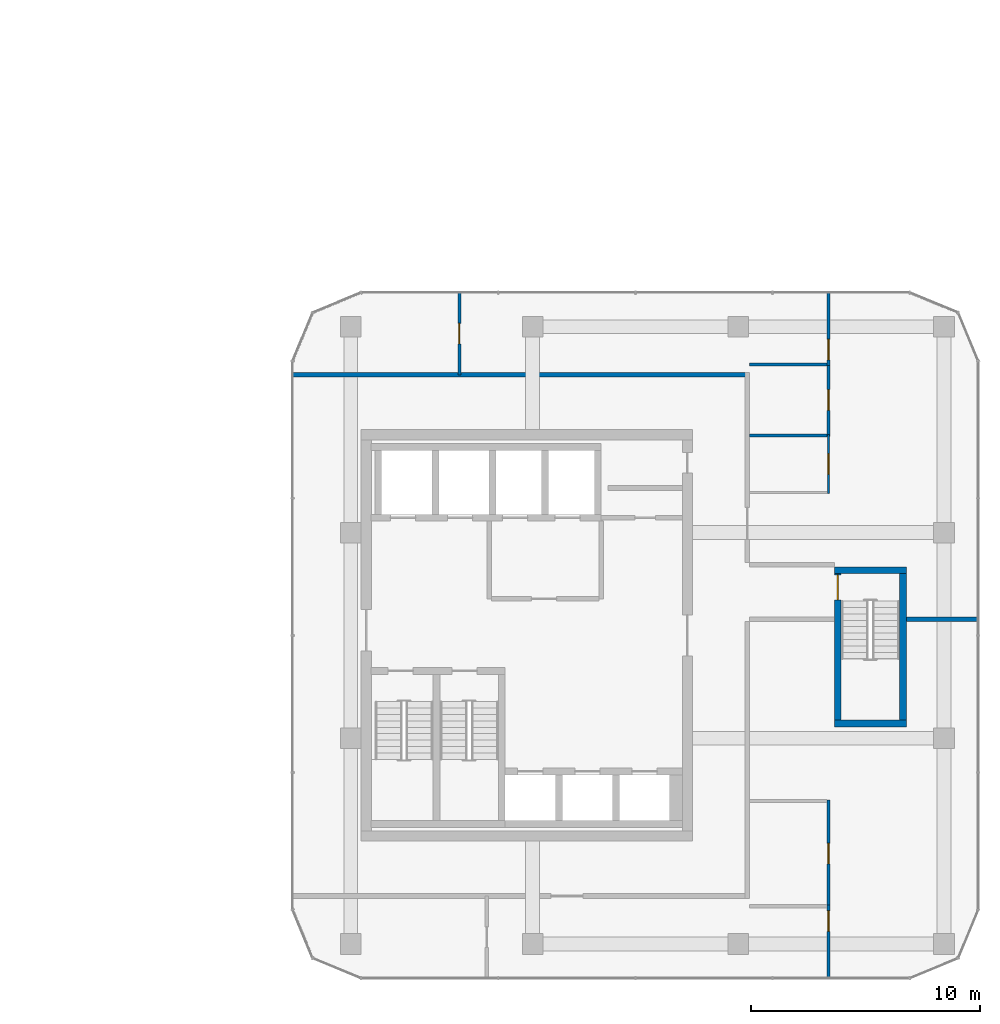
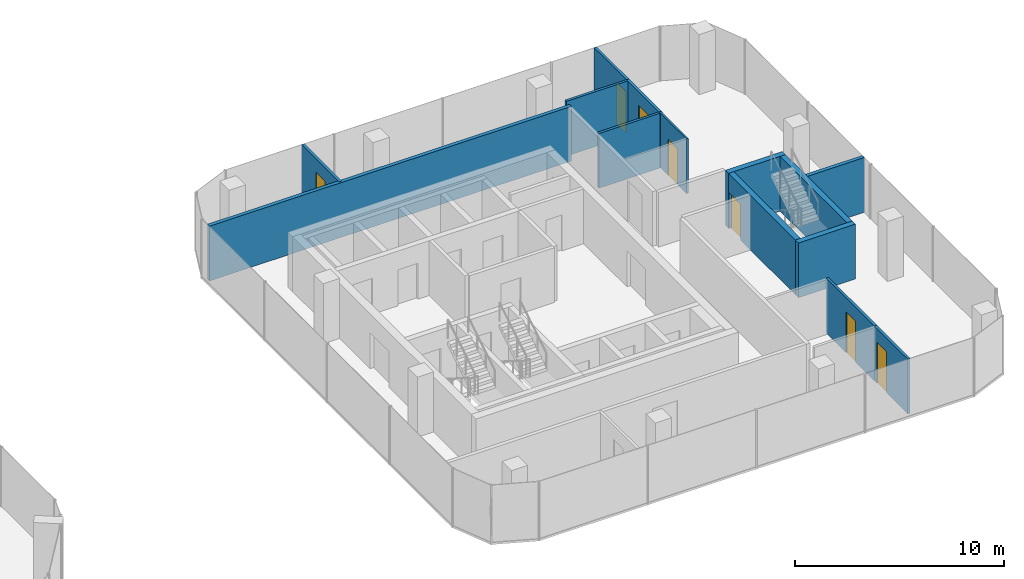
# One storey, part 18 of 22: 14 walls, 7 doors, 7 openings.
"""IFC4 building model written with IfcOpenShell, lengths in metres."""

from ifc_helpers import new_model, si_unit, direction, frame, frame_2d, origin, place, context, subcontext, project, spatial, rectangle, extrude, material, layer, layer_set, type_object, element, fill, save


model = new_model("IFC4")

# Units and contexts
model_context = context("Model", 3, precision=1e-05, world=origin(), true_north=direction((0.0, 1.0)))
body_context = subcontext(model_context, "Body", "Model", "MODEL_VIEW")
ifc_project = project(units=[si_unit("LENGTHUNIT", "METRE"), si_unit("AREAUNIT", "SQUARE_METRE"), si_unit("VOLUMEUNIT", "CUBIC_METRE"), si_unit("PLANEANGLEUNIT", "RADIAN"), si_unit("MASSUNIT", "GRAM", prefix="KILO")], contexts=[model_context])

# Site, building, storey
site_placement = place(None, origin())
site = spatial("IfcSite", under=ifc_project, at=site_placement, CompositionType="ELEMENT")
building_placement = place(site_placement, origin())
building = spatial("IfcBuilding", under=site, at=building_placement, Name="Plateau Cross Towers", CompositionType="ELEMENT")
storey_placement = place(building_placement, frame((0.0, 0.0, 68.800048828125)))
storey = spatial("IfcBuildingStorey", under=building, at=storey_placement, Name="L17", CompositionType="ELEMENT", Elevation=68.800048828125)

# Wall, opening, door
ifc_material_1 = material(Name="Concrete C60/75", Category="concrete")
ifc_layer_1 = layer(ifc_material_1, 0.300048828125)
ifc_layer_set_1 = layer_set([ifc_layer_1], Name="Concrete C60/75")
wall_type_1 = type_object("IfcWallType", Name="Core shaft wall 300", PredefinedType="SHEAR", material=ifc_layer_set_1)
wall_1_placement = place(storey_placement, frame((95.85009765625, 5.300048828125, 0.0), z_axis=(0.0, 0.0, 1.0), x_axis=(0.0, 1.0, 0.0)))
wall_1 = element("IfcWall", 1, at=wall_1_placement, inside=storey, type_object=wall_type_1, Name="B-sb3-W@L17", PredefinedType="SHEAR", context=body_context, shape_type="SweptSolid", body=[
    extrude(rectangle(XDim=6.39990234375, YDim=0.300048828125, at=frame_2d((3.199951171875, 0.0))), origin(), (0.0, 0.0, 1.0), 3.199951171875),
])
opening_1_placement = place(wall_1_placement, frame((5.25, 0.0, 0.0)))
opening_1 = element("IfcOpeningElement", 2, at=opening_1_placement, cuts=wall_1, Name="Opening SD", PredefinedType="OPENING", context=body_context, shape_type="SweptSolid", body=[
    extrude(rectangle(XDim=1.10009765625, YDim=2.10009765625, at=frame_2d((0.550048828125, 1.050048828125))), frame((0.0, 0.159912109375, 0.0), z_axis=(0.0, -1.0, 0.0), x_axis=(1.0, 0.0, 0.0)), (0.0, 0.0, 1.0), 0.320068359375),
])
ifc_material_2 = material(Name="Steel, fire-resisting leaf", Category="steel")
door_type_1 = type_object("IfcDoorType", Name="Stair door 1100", OperationType="NOTDEFINED", PredefinedType="DOOR", material=ifc_material_2)
door_1_placement = place(opening_1_placement, origin())
door_1 = element("IfcDoor", 3, at=door_1_placement, inside=storey, type_object=door_type_1, Name="Stair door SD", OperationType="SINGLE_SWING_LEFT", OverallHeight=2.10009765625, OverallWidth=1.10009765625, PredefinedType="DOOR", context=body_context, shape_type="SweptSolid", body=[
    extrude(rectangle(XDim=1.10009765625, YDim=2.10009765625, at=frame_2d((0.550048828125, 1.050048828125))), frame((0.0, 0.02490234375, 0.0), z_axis=(0.0, -1.0, 0.0), x_axis=(1.0, 0.0, 0.0)), (0.0, 0.0, 1.0), 0.050048828125),
])
fill(opening_1, door_1)

# Walls
wall_2_placement = place(storey_placement, frame((98.699951171875, 5.300048828125, 0.0), z_axis=(0.0, 0.0, 1.0), x_axis=(0.0, 1.0, 0.0)))
element("IfcWall", 4, at=wall_2_placement, inside=storey, type_object=wall_type_1, Name="B-sb3-E@L17", PredefinedType="SHEAR", context=body_context, shape_type="SweptSolid", body=[
    extrude(rectangle(XDim=6.39990234375, YDim=0.300048828125, at=frame_2d((3.199951171875, 0.0))), origin(), (0.0, 0.0, 1.0), 3.199951171875),
])
for number, where, z_axis, x_axis, name in (
    (5, (95.699951171875, 5.14990234375, 0.0), (0.0, 0.0, 1.0), (1.0, 0.0, 0.0), "B-sb3-S@L17"),
    (6, (95.699951171875, 11.85009765625, 0.0), (0.0, 0.0, 1.0), (1.0, 0.0, 0.0), "B-sb3-N@L17"),
):
    element("IfcWall", number, at=place(storey_placement, frame(where, z_axis=z_axis, x_axis=x_axis)), inside=storey, type_object=wall_type_1, Name=name, PredefinedType="SHEAR", context=body_context, shape_type="SweptSolid", body=[
        extrude(rectangle(XDim=3.150146484375, YDim=0.300048828125, at=frame_2d((1.5751953125, 0.0))), origin(), (0.0, 0.0, 1.0), 3.199951171875),
    ])
ifc_material_3 = material(Name="Gypsum board on steel studs, two layers each side", Category="steel")
ifc_layer_2 = layer(ifc_material_3, 0.199951171875)
ifc_layer_set_2 = layer_set([ifc_layer_2], Name="Gypsum board on steel studs, two layers each side")
wall_type_2 = type_object("IfcWallType", Name="Corridor wall 200", PredefinedType="PARTITIONING", material=ifc_layer_set_2)
wall_3_placement = place(storey_placement, frame((72.0, 20.39990234375, 0.0), z_axis=(0.0, 0.0, 1.0), x_axis=(1.0, 0.0, 0.0)))
element("IfcWall", 7, at=wall_3_placement, inside=storey, type_object=wall_type_2, Name="Ring wall", PredefinedType="PARTITIONING", context=body_context, shape_type="SweptSolid", body=[
    extrude(rectangle(XDim=20.0, YDim=0.199951171875, at=frame_2d((10.0, 0.0))), origin(), (0.0, 0.0, 1.0), 3.199951171875),
])

# Wall, opening, door
ifc_material_4 = material(Name="Gypsum board on staggered steel studs, mineral wool, two layers each side", Category="steel")
ifc_layer_3 = layer(ifc_material_4, 0.139892578125)
ifc_layer_set_3 = layer_set([ifc_layer_3], Name="Gypsum board on staggered steel studs, mineral wool, two layers each side")
wall_type_3 = type_object("IfcWallType", Name="Meeting room acoustic partition 140", PredefinedType="PARTITIONING", material=ifc_layer_set_3)
wall_4_placement = place(storey_placement, frame((95.449951171875, -6.0, 0.0), z_axis=(0.0, 0.0, 1.0), x_axis=(0.0, 1.0, 0.0)))
wall_4 = element("IfcWall", 8, at=wall_4_placement, inside=storey, type_object=wall_type_3, Name="Acoustic wall", PredefinedType="PARTITIONING", context=body_context, shape_type="SweptSolid", body=[
    extrude(rectangle(XDim=3.199951171875, YDim=0.139892578125, at=frame_2d((1.60009765625, 0.0))), origin(), (0.0, 0.0, 1.0), 3.199951171875),
])
opening_2_placement = place(wall_4_placement, frame((2.050048828125, 0.0, 0.0)))
opening_2 = element("IfcOpeningElement", 9, at=opening_2_placement, cuts=wall_4, Name="Opening D-BM9", PredefinedType="OPENING", context=body_context, shape_type="SweptSolid", body=[
    extrude(rectangle(XDim=0.89990234375, YDim=2.39990234375, at=frame_2d((0.449951171875, 1.199951171875))), frame((0.0, 0.079833984375, 0.0), z_axis=(0.0, -1.0, 0.0), x_axis=(1.0, 0.0, 0.0)), (0.0, 0.0, 1.0), 0.159912109375),
])
ifc_material_5 = material(Name="Timber leaf, full height", Category="wood")
door_type_2 = type_object("IfcDoorType", Name="Meeting room door 900x2400", OperationType="NOTDEFINED", PredefinedType="DOOR", material=ifc_material_5)
door_2_placement = place(opening_2_placement, origin())
door_2 = element("IfcDoor", 10, at=door_2_placement, inside=storey, type_object=door_type_2, Name="Door D-BM9", OperationType="SINGLE_SWING_LEFT", OverallHeight=2.39990234375, OverallWidth=0.89990234375, PredefinedType="DOOR", context=body_context, shape_type="SweptSolid", body=[
    extrude(rectangle(XDim=0.89990234375, YDim=2.39990234375, at=frame_2d((0.449951171875, 1.199951171875))), frame((0.0, 0.02490234375, 0.0), z_axis=(0.0, -1.0, 0.0), x_axis=(1.0, 0.0, 0.0)), (0.0, 0.0, 1.0), 0.050048828125),
])
fill(opening_2, door_2)

wall_5_placement = place(storey_placement, frame((95.449951171875, -2.89990234375, 0.0), z_axis=(0.0, 0.0, 1.0), x_axis=(0.0, 1.0, 0.0)))
wall_5 = element("IfcWall", 11, at=wall_5_placement, inside=storey, type_object=wall_type_3, Name="Acoustic wall", PredefinedType="PARTITIONING", context=body_context, shape_type="SweptSolid", body=[
    extrude(rectangle(XDim=4.699951171875, YDim=0.139892578125, at=frame_2d((2.35009765625, 0.0))), origin(), (0.0, 0.0, 1.0), 3.199951171875),
])
opening_3_placement = place(wall_5_placement, frame((1.89990234375, 0.0, 0.0)))
opening_3 = element("IfcOpeningElement", 12, at=opening_3_placement, cuts=wall_5, Name="Opening D-BM9", PredefinedType="OPENING", context=body_context, shape_type="SweptSolid", body=[
    extrude(rectangle(XDim=0.89990234375, YDim=2.39990234375, at=frame_2d((0.449951171875, 1.199951171875))), frame((0.0, 0.079833984375, 0.0), z_axis=(0.0, -1.0, 0.0), x_axis=(1.0, 0.0, 0.0)), (0.0, 0.0, 1.0), 0.159912109375),
])
door_3_placement = place(opening_3_placement, origin())
door_3 = element("IfcDoor", 13, at=door_3_placement, inside=storey, type_object=door_type_2, Name="Door D-BM9", OperationType="SINGLE_SWING_LEFT", OverallHeight=2.39990234375, OverallWidth=0.89990234375, PredefinedType="DOOR", context=body_context, shape_type="SweptSolid", body=[
    extrude(rectangle(XDim=0.89990234375, YDim=2.39990234375, at=frame_2d((0.449951171875, 1.199951171875))), frame((0.0, 0.02490234375, 0.0), z_axis=(0.0, -1.0, 0.0), x_axis=(1.0, 0.0, 0.0)), (0.0, 0.0, 1.0), 0.050048828125),
])
fill(opening_3, door_3)

wall_6_placement = place(storey_placement, frame((95.449951171875, 20.800048828125, 0.0), z_axis=(0.0, 0.0, 1.0), x_axis=(0.0, 1.0, 0.0)))
wall_6 = element("IfcWall", 14, at=wall_6_placement, inside=storey, type_object=wall_type_3, Name="Acoustic wall", PredefinedType="PARTITIONING", context=body_context, shape_type="SweptSolid", body=[
    extrude(rectangle(XDim=3.199951171875, YDim=0.139892578125, at=frame_2d((1.60009765625, 0.0))), origin(), (0.0, 0.0, 1.0), 3.199951171875),
])
opening_4_placement = place(wall_6_placement, frame((0.25, 0.0, 0.0)))
opening_4 = element("IfcOpeningElement", 15, at=opening_4_placement, cuts=wall_6, Name="Opening D-BM9", PredefinedType="OPENING", context=body_context, shape_type="SweptSolid", body=[
    extrude(rectangle(XDim=0.89990234375, YDim=2.39990234375, at=frame_2d((0.449951171875, 1.199951171875))), frame((0.0, 0.079833984375, 0.0), z_axis=(0.0, -1.0, 0.0), x_axis=(1.0, 0.0, 0.0)), (0.0, 0.0, 1.0), 0.159912109375),
])
door_4_placement = place(opening_4_placement, origin())
door_4 = element("IfcDoor", 16, at=door_4_placement, inside=storey, type_object=door_type_2, Name="Door D-BM9", OperationType="SINGLE_SWING_LEFT", OverallHeight=2.39990234375, OverallWidth=0.89990234375, PredefinedType="DOOR", context=body_context, shape_type="SweptSolid", body=[
    extrude(rectangle(XDim=0.89990234375, YDim=2.39990234375, at=frame_2d((0.449951171875, 1.199951171875))), frame((0.0, 0.02490234375, 0.0), z_axis=(0.0, -1.0, 0.0), x_axis=(1.0, 0.0, 0.0)), (0.0, 0.0, 1.0), 0.050048828125),
])
fill(opening_4, door_4)

# Wall
wall_7_placement = place(storey_placement, frame((92.0, 20.85009765625, 0.0), z_axis=(0.0, 0.0, 1.0), x_axis=(1.0, 0.0, 0.0)))
element("IfcWall", 17, at=wall_7_placement, inside=storey, type_object=wall_type_3, Name="Acoustic wall", PredefinedType="PARTITIONING", context=body_context, shape_type="SweptSolid", body=[
    extrude(rectangle(XDim=3.3798828125, YDim=0.139892578125, at=frame_2d((1.68994140625, 0.0))), origin(), (0.0, 0.0, 1.0), 3.199951171875),
])

# Wall, opening, door
wall_8_placement = place(storey_placement, frame((95.449951171875, 17.699951171875, 0.0), z_axis=(0.0, 0.0, 1.0), x_axis=(0.0, 1.0, 0.0)))
wall_8 = element("IfcWall", 18, at=wall_8_placement, inside=storey, type_object=wall_type_3, Name="Acoustic wall", PredefinedType="PARTITIONING", context=body_context, shape_type="SweptSolid", body=[
    extrude(rectangle(XDim=3.199951171875, YDim=0.139892578125, at=frame_2d((1.60009765625, 0.0))), origin(), (0.0, 0.0, 1.0), 3.199951171875),
])
opening_5_placement = place(wall_8_placement, frame((1.14990234375, 0.0, 0.0)))
opening_5 = element("IfcOpeningElement", 19, at=opening_5_placement, cuts=wall_8, Name="Opening D-BM9", PredefinedType="OPENING", context=body_context, shape_type="SweptSolid", body=[
    extrude(rectangle(XDim=0.89990234375, YDim=2.39990234375, at=frame_2d((0.449951171875, 1.199951171875))), frame((0.0, 0.079833984375, 0.0), z_axis=(0.0, -1.0, 0.0), x_axis=(1.0, 0.0, 0.0)), (0.0, 0.0, 1.0), 0.159912109375),
])
door_5_placement = place(opening_5_placement, origin())
door_5 = element("IfcDoor", 20, at=door_5_placement, inside=storey, type_object=door_type_2, Name="Door D-BM9", OperationType="SINGLE_SWING_LEFT", OverallHeight=2.39990234375, OverallWidth=0.89990234375, PredefinedType="DOOR", context=body_context, shape_type="SweptSolid", body=[
    extrude(rectangle(XDim=0.89990234375, YDim=2.39990234375, at=frame_2d((0.449951171875, 1.199951171875))), frame((0.0, 0.02490234375, 0.0), z_axis=(0.0, -1.0, 0.0), x_axis=(1.0, 0.0, 0.0)), (0.0, 0.0, 1.0), 0.050048828125),
])
fill(opening_5, door_5)

# Wall
wall_9_placement = place(storey_placement, frame((92.0, 17.75, 0.0), z_axis=(0.0, 0.0, 1.0), x_axis=(1.0, 0.0, 0.0)))
element("IfcWall", 21, at=wall_9_placement, inside=storey, type_object=wall_type_3, Name="Acoustic wall", PredefinedType="PARTITIONING", context=body_context, shape_type="SweptSolid", body=[
    extrude(rectangle(XDim=3.3798828125, YDim=0.139892578125, at=frame_2d((1.68994140625, 0.0))), origin(), (0.0, 0.0, 1.0), 3.199951171875),
])

# Wall, opening, door
wall_10_placement = place(storey_placement, frame((79.300048828125, 20.39990234375, 0.0), z_axis=(0.0, 0.0, 1.0), x_axis=(0.0, 1.0, 0.0)))
wall_10 = element("IfcWall", 22, at=wall_10_placement, inside=storey, type_object=wall_type_3, Name="Acoustic wall", PredefinedType="PARTITIONING", context=body_context, shape_type="SweptSolid", body=[
    extrude(rectangle(XDim=3.60009765625, YDim=0.139892578125, at=frame_2d((1.800048828125, 0.0))), origin(), (0.0, 0.0, 1.0), 3.199951171875),
])
opening_6_placement = place(wall_10_placement, frame((1.35009765625, 0.0, 0.0)))
opening_6 = element("IfcOpeningElement", 23, at=opening_6_placement, cuts=wall_10, Name="Opening D-BM9", PredefinedType="OPENING", context=body_context, shape_type="SweptSolid", body=[
    extrude(rectangle(XDim=0.89990234375, YDim=2.39990234375, at=frame_2d((0.449951171875, 1.199951171875))), frame((0.0, 0.079833984375, 0.0), z_axis=(0.0, -1.0, 0.0), x_axis=(1.0, 0.0, 0.0)), (0.0, 0.0, 1.0), 0.159912109375),
])
door_6_placement = place(opening_6_placement, origin())
door_6 = element("IfcDoor", 24, at=door_6_placement, inside=storey, type_object=door_type_2, Name="Door D-BM9", OperationType="SINGLE_SWING_LEFT", OverallHeight=2.39990234375, OverallWidth=0.89990234375, PredefinedType="DOOR", context=body_context, shape_type="SweptSolid", body=[
    extrude(rectangle(XDim=0.89990234375, YDim=2.39990234375, at=frame_2d((0.449951171875, 1.199951171875))), frame((0.0, 0.02490234375, 0.0), z_axis=(0.0, -1.0, 0.0), x_axis=(1.0, 0.0, 0.0)), (0.0, 0.0, 1.0), 0.050048828125),
])
fill(opening_6, door_6)

ifc_material_6 = material(Name="Gypsum board on steel studs", Category="steel")
ifc_layer_4 = layer(ifc_material_6, 0.10009765625)
ifc_layer_set_4 = layer_set([ifc_layer_4], Name="Gypsum board on steel studs")
wall_type_4 = type_object("IfcWallType", Name="Office partition 100", PredefinedType="PARTITIONING", material=ifc_layer_set_4)
wall_11_placement = place(storey_placement, frame((95.449951171875, 15.199951171875, 0.0), z_axis=(0.0, 0.0, 1.0), x_axis=(0.0, 1.0, 0.0)))
wall_11 = element("IfcWall", 25, at=wall_11_placement, inside=storey, type_object=wall_type_4, Name="Part wall", PredefinedType="PARTITIONING", context=body_context, shape_type="SweptSolid", body=[
    extrude(rectangle(XDim=2.60009765625, YDim=0.10009765625, at=frame_2d((1.300048828125, 0.0))), origin(), (0.0, 0.0, 1.0), 3.199951171875),
])
opening_7_placement = place(wall_11_placement, frame((0.85009765625, 0.0, 0.0)))
opening_7 = element("IfcOpeningElement", 26, at=opening_7_placement, cuts=wall_11, Name="Opening D-BR9", PredefinedType="OPENING", context=body_context, shape_type="SweptSolid", body=[
    extrude(rectangle(XDim=0.89990234375, YDim=2.10009765625, at=frame_2d((0.449951171875, 1.050048828125))), frame((0.0, 0.06005859375, 0.0), z_axis=(0.0, -1.0, 0.0), x_axis=(1.0, 0.0, 0.0)), (0.0, 0.0, 1.0), 0.1201171875),
])
ifc_material_7 = material(Name="Timber leaf", Category="wood")
door_type_3 = type_object("IfcDoorType", Name="Office room door 900", OperationType="NOTDEFINED", PredefinedType="DOOR", material=ifc_material_7)
door_7_placement = place(opening_7_placement, origin())
door_7 = element("IfcDoor", 27, at=door_7_placement, inside=storey, type_object=door_type_3, Name="Door D-BR9", OperationType="SINGLE_SWING_LEFT", OverallHeight=2.10009765625, OverallWidth=0.89990234375, PredefinedType="DOOR", context=body_context, shape_type="SweptSolid", body=[
    extrude(rectangle(XDim=0.89990234375, YDim=2.10009765625, at=frame_2d((0.449951171875, 1.050048828125))), frame((0.0, 0.02490234375, 0.0), z_axis=(0.0, -1.0, 0.0), x_axis=(1.0, 0.0, 0.0)), (0.0, 0.0, 1.0), 0.050048828125),
])
fill(opening_7, door_7)

# Wall
ifc_layer_5 = layer(ifc_material_3, 0.199951171875)
ifc_layer_set_5 = layer_set([ifc_layer_5], Name="Gypsum board on steel studs, two layers each side")
wall_type_5 = type_object("IfcWallType", Name="Tenancy demising wall 200", PredefinedType="PARTITIONING", material=ifc_layer_set_5)
wall_12_placement = place(storey_placement, frame((98.85009765625, 9.699951171875, 0.0), z_axis=(0.0, 0.0, 1.0), x_axis=(1.0, 0.0, 0.0)))
element("IfcWall", 28, at=wall_12_placement, inside=storey, type_object=wall_type_5, Name="Demising wall", PredefinedType="PARTITIONING", context=body_context, shape_type="SweptSolid", body=[
    extrude(rectangle(XDim=3.14990234375, YDim=0.199951171875, at=frame_2d((1.574951171875, 0.0))), origin(), (0.0, 0.0, 1.0), 3.199951171875),
])

save(model, "model.ifc")
